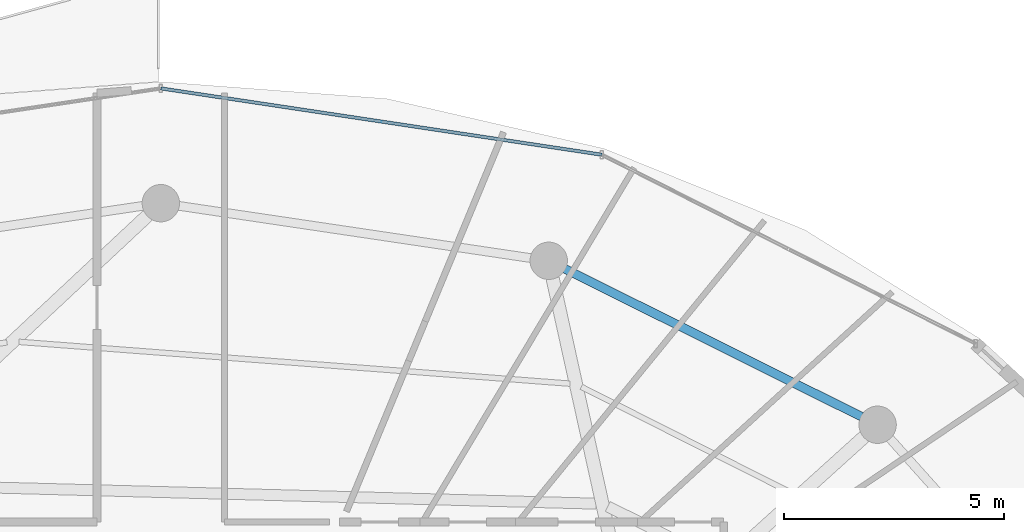
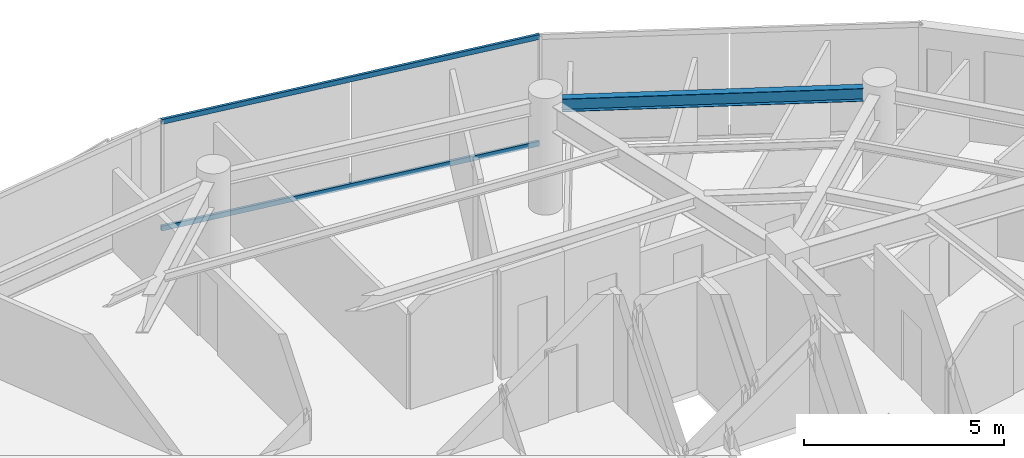
# One storey, part 18 of 30: 2 members, 1 beam, 1 element without a shape of its own.
"""IFC4 building model written with IfcOpenShell, lengths in metres."""

from ifc_helpers import new_model, si_unit, direction, frame, origin, origin_2d, place, context, subcontext, project, spatial, hollow_rectangle, i_section, extrude, material, material_profile, profile_set, type_object, element, aggregate, save


model = new_model("IFC4")

# Units and contexts
model_context = context("Model", 3, precision=1e-05, world=origin(), true_north=direction((0.0, 1.0)))
body_context = subcontext(model_context, "Body", "Model", "MODEL_VIEW")
ifc_project = project(units=[si_unit("LENGTHUNIT", "METRE"), si_unit("AREAUNIT", "SQUARE_METRE"), si_unit("VOLUMEUNIT", "CUBIC_METRE"), si_unit("PLANEANGLEUNIT", "RADIAN"), si_unit("MASSUNIT", "GRAM", prefix="KILO")], contexts=[model_context])

# Site, building, storey
site_placement = place(None, origin())
site = spatial("IfcSite", under=ifc_project, at=site_placement, CompositionType="ELEMENT")
building_placement = place(site_placement, origin())
building = spatial("IfcBuilding", under=site, at=building_placement, Name="Vorneva Point Tower", CompositionType="ELEMENT")
storey_placement = place(building_placement, frame((0.0, 0.0, 262.64990234375)))
storey = spatial("IfcBuildingStorey", under=building, at=storey_placement, Name="L71", CompositionType="ELEMENT", Elevation=262.64990234375)

# Beam
ifc_material_1 = material(Name="Steel S355", Category="steel")
ifc_material_profile_1 = material_profile(ifc_material_1, i_section(OverallWidth=0.198974609375, OverallDepth=0.39599609375, WebThickness=0.007080078125, FlangeThickness=0.010986328125, at=origin_2d()), Name="40B1")
ifc_profile_set_1 = profile_set([ifc_material_profile_1], Name="Steel S355")
beam_type = type_object("IfcBeamType", Name="BM-SPN-40B1", PredefinedType="SPANDREL", material=ifc_profile_set_1)
beam_placement = place(storey_placement, frame((53.931884765625, 38.34521484375, 3.092041015625), z_axis=(-0.894932011528, 0.446202526599, 0.0), x_axis=(-0.446202526599, -0.894932011528, 0.0)))
element("IfcBeam", 1, at=beam_placement, inside=storey, type_object=beam_type, Name="L71 Perimeter Spandrel Ring Beam 03", PredefinedType="SPANDREL", context=body_context, shape_type="SweptSolid", body=[
    extrude(i_section(OverallWidth=0.198974609375, OverallDepth=0.39599609375, WebThickness=0.007080078125, FlangeThickness=0.010986328125, at=origin_2d()), origin(), (0.0, 0.0, 1.0), 7.535888671875),
])

# Curtain wall, members
ifc_material_2 = material(Name="Pale anodised aluminium", Category="aluminium")
curtain_wall_type = type_object("IfcCurtainWallType", Name="CW-RES-SYS", PredefinedType="NOTDEFINED", material=ifc_material_2)
curtain_wall_placement = place(storey_placement, origin())
curtain_wall = element("IfcCurtainWall", 2, at=curtain_wall_placement, inside=storey, type_object=curtain_wall_type, Name="L71 Unitised Curtain Wall CW-L71-R02", PredefinedType="NOTDEFINED")
ifc_material_profile_2 = material_profile(ifc_material_2, hollow_rectangle(XDim=0.074951171875, YDim=0.14990234375, WallThickness=0.00390625, at=origin_2d()), Name="AL-TRN 150x75x4")
ifc_profile_set_2 = profile_set([ifc_material_profile_2], Name="Pale anodised aluminium")
member_type = type_object("IfcMemberType", Name="CW-TRN-150", PredefinedType="USERDEFINED", material=ifc_profile_set_2)
member_1_placement = place(storey_placement, frame((48.0263671875, 44.302001953125, 0.02001953125), z_axis=(-0.988876929856, 0.148736066907, 0.0), x_axis=(-0.148736066907, -0.988876929856, 0.0)))
member_1 = element("IfcMember", 3, at=member_1_placement, type_object=member_type, Name="CW-L71-R02 Transom 02.1", ObjectType="TRANSOM", PredefinedType="USERDEFINED", context=body_context, shape_type="SweptSolid", body=[
    extrude(hollow_rectangle(XDim=0.074951171875, YDim=0.14990234375, WallThickness=0.00390625, at=origin_2d()), origin(), (0.0, 0.0, 1.0), 10.13916015625),
])
member_2_placement = place(storey_placement, frame((48.0263671875, 44.302001953125, 3.27001953125), z_axis=(-0.988876929856, 0.148736066907, 0.0), x_axis=(-0.148736066907, -0.988876929856, 0.0)))
member_2 = element("IfcMember", 4, at=member_2_placement, type_object=member_type, Name="CW-L71-R02 Transom 02.2", ObjectType="TRANSOM", PredefinedType="USERDEFINED", context=body_context, shape_type="SweptSolid", body=[
    extrude(hollow_rectangle(XDim=0.074951171875, YDim=0.14990234375, WallThickness=0.00390625, at=origin_2d()), origin(), (0.0, 0.0, 1.0), 10.13916015625),
])
aggregate(curtain_wall, [member_1, member_2])

save(model, "model.ifc")
